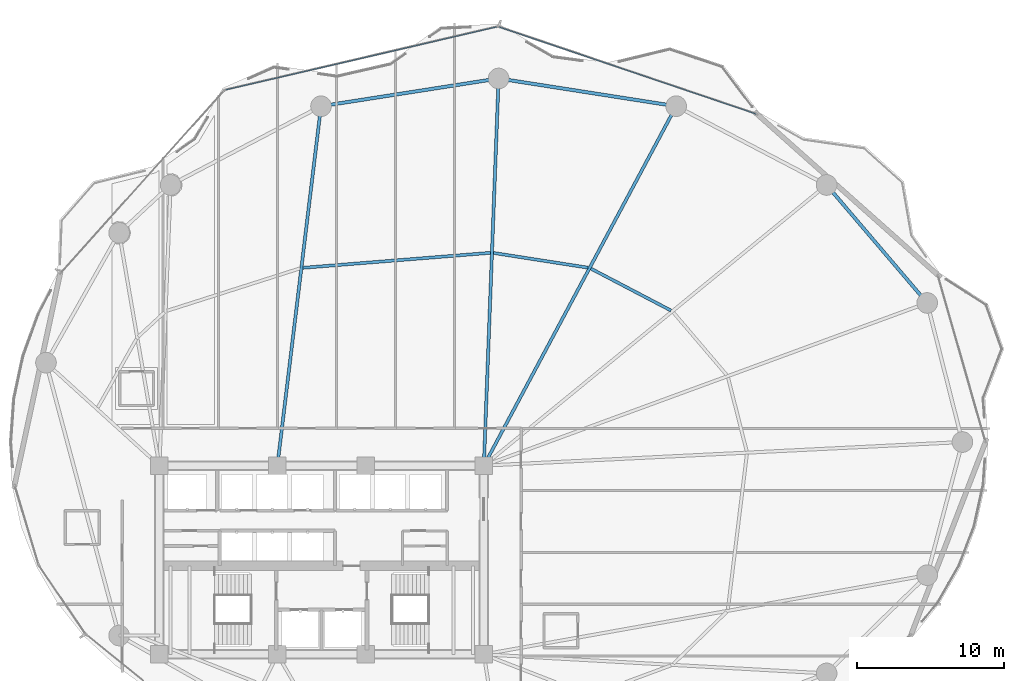
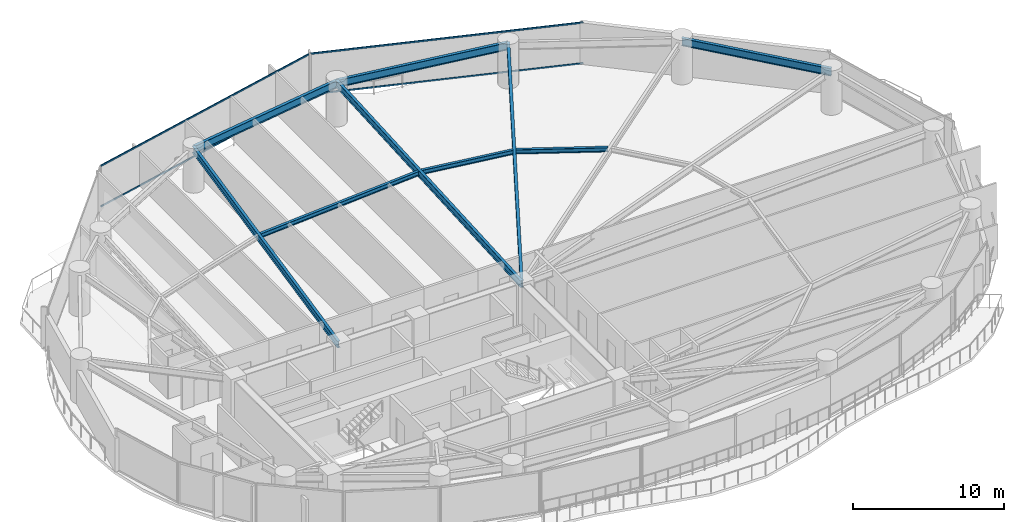
# One storey, part 20 of 32: 9 beams, 4 members, 2 elements without a shape of their own.
"""IFC4 building model written with IfcOpenShell, lengths in metres."""

from ifc_helpers import new_model, si_unit, direction, frame, origin, origin_2d, place, context, subcontext, project, spatial, hollow_rectangle, i_section, extrude, material, layer, layer_set, material_profile, profile_set, type_object, element, aggregate, save


model = new_model("IFC4")

# Units and contexts
model_context = context("Model", 3, precision=1e-05, world=origin(), true_north=direction((0.0, 1.0)))
body_context = subcontext(model_context, "Body", "Model", "MODEL_VIEW")
ifc_project = project(units=[si_unit("LENGTHUNIT", "METRE"), si_unit("AREAUNIT", "SQUARE_METRE"), si_unit("VOLUMEUNIT", "CUBIC_METRE"), si_unit("PLANEANGLEUNIT", "RADIAN"), si_unit("MASSUNIT", "GRAM", prefix="KILO")], contexts=[model_context])

# Site, building, storey
site_placement = place(None, origin())
site = spatial("IfcSite", under=ifc_project, at=site_placement, CompositionType="ELEMENT")
building_placement = place(site_placement, origin())
building = spatial("IfcBuilding", under=site, at=building_placement, Name="Kazevale Care Tower and Concert Hall", CompositionType="ELEMENT")
storey_placement = place(building_placement, frame((0.0, 0.0, 85.199951171875)))
storey = spatial("IfcBuildingStorey", under=building, at=storey_placement, Name="L22", CompositionType="ELEMENT", Elevation=85.199951171875)

# Curtain wall, members
ifc_material_1 = material(Name="Aluminium 6063-T6 and Low-E Glass", Category="aluminium")
ifc_layer_1 = layer(ifc_material_1, 0.179931640625)
ifc_layer_set_1 = layer_set([ifc_layer_1], Name="Aluminium 6063-T6 and Low-E Glass")
curtain_wall_type_1 = type_object("IfcCurtainWallType", Name="Convex Checkerboard Finned Curtain Wall CW-2", PredefinedType="NOTDEFINED", material=ifc_layer_set_1)
curtain_wall_1_placement = place(storey_placement, origin())
curtain_wall_1 = element("IfcCurtainWall", 1, at=curtain_wall_1_placement, inside=storey, type_object=curtain_wall_type_1, Name="cw:L22:f16", PredefinedType="NOTDEFINED")
ifc_material_2 = material(Name="Aluminium 6063-T6", Category="aluminium")
ifc_material_profile_1 = material_profile(ifc_material_2, hollow_rectangle(XDim=0.074951171875, YDim=0.1201171875, WallThickness=0.00390625, at=origin_2d()), Name="ALU75x120x4")
ifc_profile_set_1 = profile_set([ifc_material_profile_1], Name="Aluminium 6063-T6")
member_type_1 = type_object("IfcMemberType", Name="CW-2 Transom ALU75x120x4", PredefinedType="USERDEFINED", material=ifc_profile_set_1)
member_1_placement = place(storey_placement, frame((45.03173828125, 66.142333984375, 0.03759765625), z_axis=(0.947204752806, -0.320629312855, 0.0), x_axis=(0.320629312855, 0.947204752806, 0.0)))
member_1 = element("IfcMember", 2, at=member_1_placement, type_object=member_type_1, Name="CW-2 transom 1.1", ObjectType="TRANSOM", PredefinedType="USERDEFINED", context=body_context, shape_type="SweptSolid", body=[
    extrude(hollow_rectangle(XDim=0.074951171875, YDim=0.1201171875, WallThickness=0.00390625, at=origin_2d()), origin(), (0.0, 0.0, 1.0), 18.40625),
])
member_2_placement = place(storey_placement, frame((45.03173828125, 66.142333984375, 3.322509765625), z_axis=(0.947204752806, -0.320629312855, 0.0), x_axis=(0.320629312855, 0.947204752806, 0.0)))
member_2 = element("IfcMember", 3, at=member_2_placement, type_object=member_type_1, Name="CW-2 transom 1.2", ObjectType="TRANSOM", PredefinedType="USERDEFINED", context=body_context, shape_type="SweptSolid", body=[
    extrude(hollow_rectangle(XDim=0.074951171875, YDim=0.1201171875, WallThickness=0.00390625, at=origin_2d()), origin(), (0.0, 0.0, 1.0), 18.40625),
])
aggregate(curtain_wall_1, [member_1, member_2])

ifc_layer_2 = layer(ifc_material_1, 0.179931640625)
ifc_layer_set_2 = layer_set([ifc_layer_2], Name="Aluminium 6063-T6 and Low-E Glass")
curtain_wall_type_2 = type_object("IfcCurtainWallType", Name="Convex Recessed Sunroom Curtain Wall CW-3", PredefinedType="NOTDEFINED", material=ifc_layer_set_2)
curtain_wall_2_placement = place(storey_placement, origin())
curtain_wall_2 = element("IfcCurtainWall", 4, at=curtain_wall_2_placement, inside=storey, type_object=curtain_wall_type_2, Name="cw:L22:f15", PredefinedType="NOTDEFINED")
ifc_material_profile_2 = material_profile(ifc_material_2, hollow_rectangle(XDim=0.074951171875, YDim=0.1201171875, WallThickness=0.00390625, at=origin_2d()), Name="ALU75x120x4")
ifc_profile_set_2 = profile_set([ifc_material_profile_2], Name="Aluminium 6063-T6")
member_type_2 = type_object("IfcMemberType", Name="CW-3 Transom ALU75x120x4", PredefinedType="USERDEFINED", material=ifc_profile_set_2)
member_3_placement = place(storey_placement, frame((26.498046875, 61.8798828125, 0.03759765625), z_axis=(0.974058773015, 0.226295176069, 0.0), x_axis=(-0.226295176069, 0.974058773015, 0.0)))
member_3 = element("IfcMember", 5, at=member_3_placement, type_object=member_type_2, Name="CW-3 transom 1.1", ObjectType="TRANSOM", PredefinedType="USERDEFINED", context=body_context, shape_type="SweptSolid", body=[
    extrude(hollow_rectangle(XDim=0.074951171875, YDim=0.1201171875, WallThickness=0.00390625, at=origin_2d()), origin(), (0.0, 0.0, 1.0), 18.874755859375),
])
member_4_placement = place(storey_placement, frame((26.498046875, 61.8798828125, 3.322509765625), z_axis=(0.974058773015, 0.226295176069, 0.0), x_axis=(-0.226295176069, 0.974058773015, 0.0)))
member_4 = element("IfcMember", 6, at=member_4_placement, type_object=member_type_2, Name="CW-3 transom 1.2", ObjectType="TRANSOM", PredefinedType="USERDEFINED", context=body_context, shape_type="SweptSolid", body=[
    extrude(hollow_rectangle(XDim=0.074951171875, YDim=0.1201171875, WallThickness=0.00390625, at=origin_2d()), origin(), (0.0, 0.0, 1.0), 18.874755859375),
])
aggregate(curtain_wall_2, [member_3, member_4])

# Beams
ifc_material_3 = material(Name="Steel ASTM A572 Gr 50", Category="steel")
ifc_material_profile_3 = material_profile(ifc_material_3, i_section(OverallWidth=0.2119140625, OverallDepth=0.5439453125, WebThickness=0.01318359375, FlangeThickness=0.021240234375, at=origin_2d()), Name="W530x123")
ifc_profile_set_3 = profile_set([ifc_material_profile_3], Name="Steel ASTM A572 Gr 50")
beam_type_1 = type_object("IfcBeamType", Name="Radial Floor Girder W530x123", PredefinedType="BEAM", material=ifc_profile_set_3)
beam_1_placement = place(storey_placement, frame((44.0, 36.39990234375, 3.088134765625), z_axis=(0.471788966953, 0.88171150081, 0.0), x_axis=(-0.88171150081, 0.471788966953, 0.0)))
element("IfcBeam", 7, at=beam_1_placement, inside=storey, type_object=beam_type_1, Name="beam:L22:rad:04", PredefinedType="BEAM", context=body_context, shape_type="SweptSolid", body=[
    extrude(i_section(OverallWidth=0.2119140625, OverallDepth=0.5439453125, WebThickness=0.01318359375, FlangeThickness=0.021240234375, at=origin_2d()), origin(), (0.0, 0.0, 1.0), 27.6396484375),
])
beam_2_placement = place(storey_placement, frame((44.0, 36.39990234375, 3.088134765625), z_axis=(0.038067625343, 0.999275165258, 0.0), x_axis=(-0.999275165258, 0.038067625343, 0.0)))
element("IfcBeam", 8, at=beam_2_placement, inside=storey, type_object=beam_type_1, Name="beam:L22:rad:05", PredefinedType="BEAM", context=body_context, shape_type="SweptSolid", body=[
    extrude(i_section(OverallWidth=0.2119140625, OverallDepth=0.5439453125, WebThickness=0.01318359375, FlangeThickness=0.021240234375, at=origin_2d()), origin(), (0.0, 0.0, 1.0), 26.26904296875),
])
beam_3_placement = place(storey_placement, frame((30.0, 36.39990234375, 3.088134765625), z_axis=(0.120572526662, 0.9927045209, 0.0), x_axis=(-0.9927045209, 0.120572526662, 0.0)))
element("IfcBeam", 9, at=beam_3_placement, inside=storey, type_object=beam_type_1, Name="beam:L22:rad:06", PredefinedType="BEAM", context=body_context, shape_type="SweptSolid", body=[
    extrude(i_section(OverallWidth=0.2119140625, OverallDepth=0.5439453125, WebThickness=0.01318359375, FlangeThickness=0.021240234375, at=origin_2d()), origin(), (0.0, 0.0, 1.0), 24.54931640625),
])
ifc_material_profile_4 = material_profile(ifc_material_3, i_section(OverallWidth=0.22900390625, OverallDepth=0.612060546875, WebThickness=0.011962890625, FlangeThickness=0.01953125, at=origin_2d()), Name="W610x125")
ifc_profile_set_4 = profile_set([ifc_material_profile_4], Name="Steel ASTM A572 Gr 50")
beam_type_2 = type_object("IfcBeamType", Name="Ring Spandrel Beam W610x125", PredefinedType="SPANDREL", material=ifc_profile_set_4)
beam_4_placement = place(storey_placement, frame((74.06005859375, 47.429931640625, 3.053955078125), z_axis=(-0.648756004283, 0.760996482848, 0.0), x_axis=(-0.760996482848, -0.648756004283, 0.0)))
element("IfcBeam", 10, at=beam_4_placement, inside=storey, type_object=beam_type_2, Name="beam:L22:ring:02", PredefinedType="SPANDREL", context=body_context, shape_type="SweptSolid", body=[
    extrude(i_section(OverallWidth=0.22900390625, OverallDepth=0.612060546875, WebThickness=0.011962890625, FlangeThickness=0.01953125, at=origin_2d()), origin(), (0.0, 0.0, 1.0), 10.512451171875),
])
for number, where, z_axis, x_axis, name in (
    (11, (57.0400390625, 60.77001953125, 3.053955078125), (-0.988029216561, 0.154266870134, 0.0), (-0.154266870134, -0.988029216561, 0.0), "beam:L22:ring:04"),
    (12, (45.0, 62.64990234375, 3.053955078125), (-0.988029216561, -0.154266870134, 0.0), (0.154266870134, -0.988029216561, 0.0), "beam:L22:ring:05"),
):
    element("IfcBeam", number, at=place(storey_placement, frame(where, z_axis=z_axis, x_axis=x_axis)), inside=storey, type_object=beam_type_2, Name=name, PredefinedType="SPANDREL", context=body_context, shape_type="SweptSolid", body=[
        extrude(i_section(OverallWidth=0.22900390625, OverallDepth=0.612060546875, WebThickness=0.011962890625, FlangeThickness=0.01953125, at=origin_2d()), origin(), (0.0, 0.0, 1.0), 12.18603515625),
    ])
ifc_material_profile_5 = material_profile(ifc_material_3, i_section(OverallWidth=0.205078125, OverallDepth=0.35400390625, WebThickness=0.009521484375, FlangeThickness=0.016845703125, at=origin_2d()), Name="W360x79")
ifc_profile_set_5 = profile_set([ifc_material_profile_5], Name="Steel ASTM A572 Gr 50")
beam_type_3 = type_object("IfcBeamType", Name="Secondary Floor Joist W360x79", PredefinedType="JOIST", material=ifc_profile_set_5)
beam_5_placement = place(storey_placement, frame((56.68896484375, 46.9150390625, 3.18310546875), z_axis=(-0.885921274797, 0.463835633454, 0.0), x_axis=(-0.463835633454, -0.885921274797, 0.0)))
element("IfcBeam", 13, at=beam_5_placement, inside=storey, type_object=beam_type_3, Name="beam:L22:joist:03", PredefinedType="JOIST", context=body_context, shape_type="SweptSolid", body=[
    extrude(i_section(OverallWidth=0.205078125, OverallDepth=0.35400390625, WebThickness=0.009521484375, FlangeThickness=0.016845703125, at=origin_2d()), origin(), (0.0, 0.0, 1.0), 6.12255859375),
])
beam_6_placement = place(storey_placement, frame((51.068115234375, 49.820068359375, 3.18310546875), z_axis=(-0.988040697826, 0.154193318403, 0.0), x_axis=(-0.154193318403, -0.988040697826, 0.0)))
element("IfcBeam", 14, at=beam_6_placement, inside=storey, type_object=beam_type_3, Name="beam:L22:joist:04", PredefinedType="JOIST", context=body_context, shape_type="SweptSolid", body=[
    extrude(i_section(OverallWidth=0.205078125, OverallDepth=0.35400390625, WebThickness=0.009521484375, FlangeThickness=0.016845703125, at=origin_2d()), origin(), (0.0, 0.0, 1.0), 6.49169921875),
])
beam_7_placement = place(storey_placement, frame((44.445068359375, 50.8291015625, 3.18310546875), z_axis=(-0.996814548036, -0.079754353015, 0.0), x_axis=(0.079754353015, -0.996814548036, 0.0)))
element("IfcBeam", 15, at=beam_7_placement, inside=storey, type_object=beam_type_3, Name="beam:L22:joist:05", PredefinedType="JOIST", context=body_context, shape_type="SweptSolid", body=[
    extrude(i_section(OverallWidth=0.205078125, OverallDepth=0.35400390625, WebThickness=0.009521484375, FlangeThickness=0.016845703125, at=origin_2d()), origin(), (0.0, 0.0, 1.0), 12.752685546875),
])

save(model, "model.ifc")
